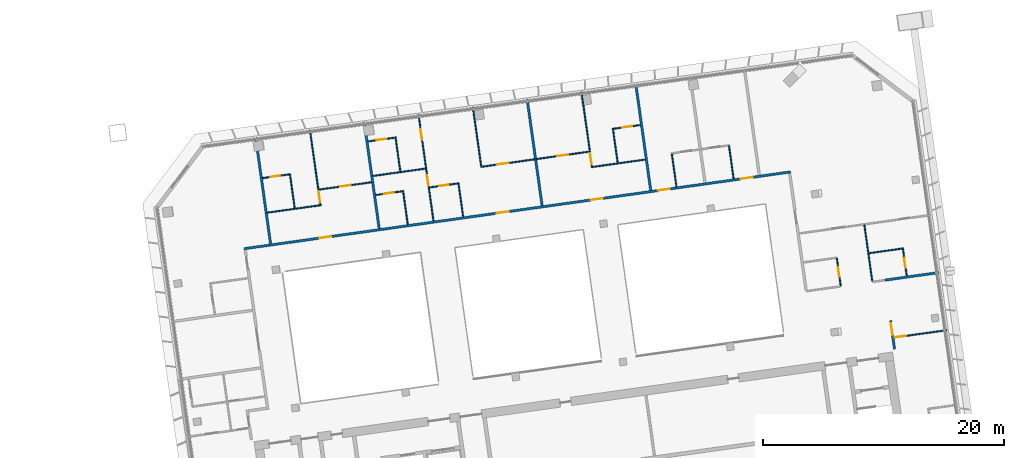
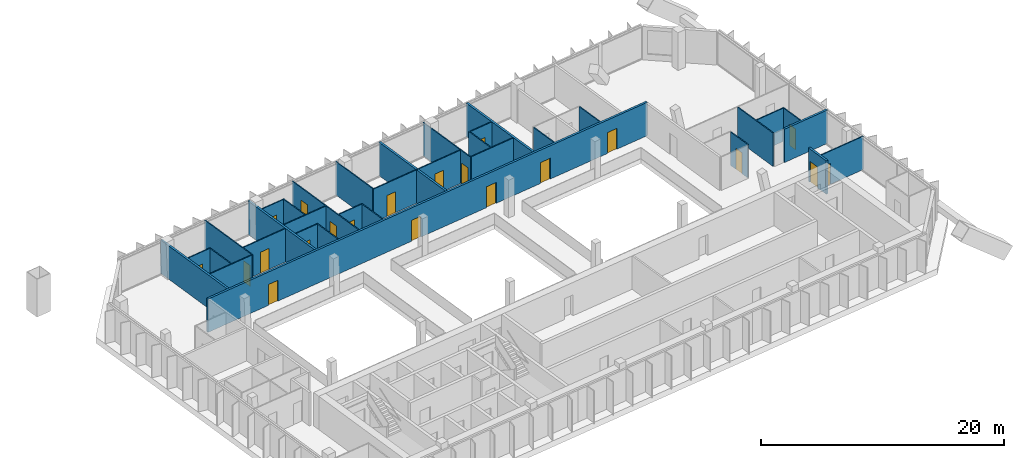
# One storey, part 24 of 32: 33 walls, 21 doors, 21 openings.
"""IFC4 building model written with IfcOpenShell, lengths in metres."""

from ifc_helpers import new_model, si_unit, direction, frame, frame_2d, origin, place, context, subcontext, project, spatial, rectangle, extrude, material, layer, layer_set, type_object, element, fill, save


model = new_model("IFC4")

# Units and contexts
model_context = context("Model", 3, precision=1e-05, world=origin(), true_north=direction((0.0, 1.0)))
body_context = subcontext(model_context, "Body", "Model", "MODEL_VIEW")
ifc_project = project(units=[si_unit("LENGTHUNIT", "METRE"), si_unit("AREAUNIT", "SQUARE_METRE"), si_unit("VOLUMEUNIT", "CUBIC_METRE"), si_unit("PLANEANGLEUNIT", "RADIAN"), si_unit("MASSUNIT", "GRAM", prefix="KILO")], contexts=[model_context])

# Site, building, storey
site_placement = place(None, origin())
site = spatial("IfcSite", under=ifc_project, at=site_placement, CompositionType="ELEMENT")
building_placement = place(site_placement, origin())
building = spatial("IfcBuilding", under=site, at=building_placement, Name="Mirante Cascada Hotel Towers", CompositionType="ELEMENT")
storey_placement = place(building_placement, frame((0.0, 0.0, 176.4)))
storey = spatial("IfcBuildingStorey", under=building, at=storey_placement, Name="L41", CompositionType="ELEMENT", Elevation=176.4)

# Wall
ifc_material_1 = material(Name="Fire-rated plasterboard on metal studs")
ifc_layer_1 = layer(ifc_material_1, 0.2)
ifc_layer_set_1 = layer_set([ifc_layer_1], Name="Compartment wall 200 EI 120")
wall_type_1 = type_object("IfcWallType", Name="Compartment wall 200 EI 120", PredefinedType="PARTITIONING", material=ifc_layer_set_1)
wall_1_placement = place(storey_placement, frame((92.3869, 6.7679, 0.0), z_axis=(0.0, 0.0, 1.0), x_axis=(-0.9902674, -0.1391779, 0.0)))
element("IfcWall", 1, at=wall_1_placement, inside=storey, type_object=wall_type_1, Name="Wall 2-L41-11", PredefinedType="PARTITIONING", context=body_context, shape_type="SweptSolid", body=[
    extrude(rectangle(XDim=4.5, YDim=0.2, at=frame_2d((2.25, 0.0))), origin(), (0.0, 0.0, 1.0), 3.35),
])

# Wall, openings, doors
wall_2_placement = place(storey_placement, frame((80.1022, 15.1397, 0.0), z_axis=(0.0, 0.0, 1.0), x_axis=(-0.9902679, -0.1391743, 0.0)))
wall_2 = element("IfcWall", 2, at=wall_2_placement, inside=storey, type_object=wall_type_1, Name="Wall 2-L41-17", PredefinedType="PARTITIONING", context=body_context, shape_type="SweptSolid", body=[
    extrude(rectangle(XDim=45.9, YDim=0.2, at=frame_2d((22.95, 0.0))), origin(), (0.0, 0.0, 1.0), 3.35),
])
opening_1_placement = place(wall_2_placement, frame((38.5918, 0.0, 0.0)))
opening_1 = element("IfcOpeningElement", 3, at=opening_1_placement, cuts=wall_2, Name="Opening D2-L41-08", PredefinedType="OPENING", context=body_context, shape_type="SweptSolid", body=[
    extrude(rectangle(XDim=1.0, YDim=2.1, at=frame_2d((0.5, 1.05))), frame((0.0, 0.1, 0.0), z_axis=(0.0, -1.0, 0.0), x_axis=(1.0, 0.0, 0.0)), (0.0, 0.0, 1.0), 0.2),
])
opening_2_placement = place(wall_2_placement, frame((23.6687, 0.0, 0.0)))
opening_2 = element("IfcOpeningElement", 4, at=opening_2_placement, cuts=wall_2, Name="Opening D2-L41-09", PredefinedType="OPENING", context=body_context, shape_type="SweptSolid", body=[
    extrude(rectangle(XDim=1.0, YDim=2.1, at=frame_2d((0.5, 1.05))), frame((0.0, 0.1, 0.0), z_axis=(0.0, -1.0, 0.0), x_axis=(1.0, 0.0, 0.0)), (0.0, 0.0, 1.0), 0.2),
])
opening_3_placement = place(wall_2_placement, frame((15.7959, 0.0, 0.0)))
opening_3 = element("IfcOpeningElement", 5, at=opening_3_placement, cuts=wall_2, Name="Opening D2-L41-10", PredefinedType="OPENING", context=body_context, shape_type="SweptSolid", body=[
    extrude(rectangle(XDim=1.0, YDim=2.1, at=frame_2d((0.5, 1.05))), frame((0.0, 0.1, 0.0), z_axis=(0.0, -1.0, 0.0), x_axis=(1.0, 0.0, 0.0)), (0.0, 0.0, 1.0), 0.2),
])
opening_4_placement = place(wall_2_placement, frame((10.1571, 0.0, 0.0)))
opening_4 = element("IfcOpeningElement", 6, at=opening_4_placement, cuts=wall_2, Name="Opening D2-L41-11", PredefinedType="OPENING", context=body_context, shape_type="SweptSolid", body=[
    extrude(rectangle(XDim=1.0, YDim=2.1, at=frame_2d((0.5, 1.05))), frame((0.0, 0.1, 0.0), z_axis=(0.0, -1.0, 0.0), x_axis=(1.0, 0.0, 0.0)), (0.0, 0.0, 1.0), 0.2),
])
opening_5_placement = place(wall_2_placement, frame((3.198, 0.0, 0.0)))
opening_5 = element("IfcOpeningElement", 7, at=opening_5_placement, cuts=wall_2, Name="Opening D2-L41-12", PredefinedType="OPENING", context=body_context, shape_type="SweptSolid", body=[
    extrude(rectangle(XDim=1.0, YDim=2.1, at=frame_2d((0.5, 1.05))), frame((0.0, 0.1, 0.0), z_axis=(0.0, -1.0, 0.0), x_axis=(1.0, 0.0, 0.0)), (0.0, 0.0, 1.0), 0.2),
])
ifc_material_2 = material(Name="Fire-rated timber door leaf", Category="wood")
door_type_1 = type_object("IfcDoorType", Name="Entrance door DG1 1000x2100 EI 60", OperationType="SINGLE_SWING_LEFT", PredefinedType="DOOR", material=ifc_material_2)
door_1_placement = place(opening_1_placement, frame((1.0, 0.0, 0.0), z_axis=(0.0, 0.0, 1.0), x_axis=(-1.0, 0.0, 0.0)))
door_1 = element("IfcDoor", 8, at=door_1_placement, inside=storey, type_object=door_type_1, Name="Door D2-L41-08", OperationType="SINGLE_SWING_RIGHT", OverallHeight=2.1, OverallWidth=1.0, PredefinedType="DOOR", context=body_context, shape_type="SweptSolid", body=[
    extrude(rectangle(XDim=1.0, YDim=2.1, at=frame_2d((0.5, 1.05))), frame((0.0, 0.025, 0.0), z_axis=(0.0, -1.0, 0.0), x_axis=(1.0, 0.0, 0.0)), (0.0, 0.0, 1.0), 0.05),
])
fill(opening_1, door_1)
door_2_placement = place(opening_2_placement, frame((1.0, 0.0, 0.0), z_axis=(0.0, 0.0, 1.0), x_axis=(-1.0, 0.0, 0.0)))
door_2 = element("IfcDoor", 9, at=door_2_placement, inside=storey, type_object=door_type_1, Name="Door D2-L41-09", OperationType="SINGLE_SWING_RIGHT", OverallHeight=2.1, OverallWidth=1.0, PredefinedType="DOOR", context=body_context, shape_type="SweptSolid", body=[
    extrude(rectangle(XDim=1.0, YDim=2.1, at=frame_2d((0.5, 1.05))), frame((0.0, 0.025, 0.0), z_axis=(0.0, -1.0, 0.0), x_axis=(1.0, 0.0, 0.0)), (0.0, 0.0, 1.0), 0.05),
])
fill(opening_2, door_2)
door_3_placement = place(opening_3_placement, frame((1.0, 0.0, 0.0), z_axis=(0.0, 0.0, 1.0), x_axis=(-1.0, 0.0, 0.0)))
door_3 = element("IfcDoor", 10, at=door_3_placement, inside=storey, type_object=door_type_1, Name="Door D2-L41-10", OperationType="SINGLE_SWING_RIGHT", OverallHeight=2.1, OverallWidth=1.0, PredefinedType="DOOR", context=body_context, shape_type="SweptSolid", body=[
    extrude(rectangle(XDim=1.0, YDim=2.1, at=frame_2d((0.5, 1.05))), frame((0.0, 0.025, 0.0), z_axis=(0.0, -1.0, 0.0), x_axis=(1.0, 0.0, 0.0)), (0.0, 0.0, 1.0), 0.05),
])
fill(opening_3, door_3)
door_4_placement = place(opening_4_placement, frame((1.0, 0.0, 0.0), z_axis=(0.0, 0.0, 1.0), x_axis=(-1.0, 0.0, 0.0)))
door_4 = element("IfcDoor", 11, at=door_4_placement, inside=storey, type_object=door_type_1, Name="Door D2-L41-11", OperationType="SINGLE_SWING_RIGHT", OverallHeight=2.1, OverallWidth=1.0, PredefinedType="DOOR", context=body_context, shape_type="SweptSolid", body=[
    extrude(rectangle(XDim=1.0, YDim=2.1, at=frame_2d((0.5, 1.05))), frame((0.0, 0.025, 0.0), z_axis=(0.0, -1.0, 0.0), x_axis=(1.0, 0.0, 0.0)), (0.0, 0.0, 1.0), 0.05),
])
fill(opening_4, door_4)
door_5_placement = place(opening_5_placement, frame((1.0, 0.0, 0.0), z_axis=(0.0, 0.0, 1.0), x_axis=(-1.0, 0.0, 0.0)))
door_5 = element("IfcDoor", 12, at=door_5_placement, inside=storey, type_object=door_type_1, Name="Door D2-L41-12", OperationType="SINGLE_SWING_RIGHT", OverallHeight=2.1, OverallWidth=1.0, PredefinedType="DOOR", context=body_context, shape_type="SweptSolid", body=[
    extrude(rectangle(XDim=1.0, YDim=2.1, at=frame_2d((0.5, 1.05))), frame((0.0, 0.025, 0.0), z_axis=(0.0, -1.0, 0.0), x_axis=(1.0, 0.0, 0.0)), (0.0, 0.0, 1.0), 0.05),
])
fill(opening_5, door_5)

# Walls
wall_3_placement = place(storey_placement, frame((35.6235, 17.977, 0.0), z_axis=(0.0, 0.0, 1.0), x_axis=(0.13917, -0.9902685, 0.0)))
element("IfcWall", 13, at=wall_3_placement, inside=storey, type_object=wall_type_1, Name="Wall 2-L41-35", PredefinedType="PARTITIONING", context=body_context, shape_type="SweptSolid", body=[
    extrude(rectangle(XDim=8.8999, YDim=0.2, at=frame_2d((4.45, 0.0))), origin(), (0.0, 0.0, 1.0), 3.35),
])
for number, where, z_axis, x_axis, name in (
    (14, (45.8918, 10.4327, 0.0), (0.0, 0.0, 1.0), (-0.1391794, 0.9902672, 0.0), "Wall 2-L41-38"),
    (15, (59.4362, 12.3362, 0.0), (0.0, 0.0, 1.0), (-0.1391794, 0.9902672, 0.0), "Wall 2-L41-44"),
    (16, (67.2272, 22.4187, 0.0), (0.0, 0.0, 1.0), (0.1391684, -0.9902687, 0.0), "Wall 2-L41-47"),
):
    element("IfcWall", number, at=place(storey_placement, frame(where, z_axis=z_axis, x_axis=x_axis)), inside=storey, type_object=wall_type_1, Name=name, PredefinedType="PARTITIONING", context=body_context, shape_type="SweptSolid", body=[
        extrude(rectangle(XDim=8.9, YDim=0.2, at=frame_2d((4.45, 0.0))), origin(), (0.0, 0.0, 1.0), 3.35),
    ])

# Wall, opening, door
wall_4_placement = place(storey_placement, frame((88.4039, 2.7747, 0.0), z_axis=(0.0, 0.0, 1.0), x_axis=(0.1391693, -0.9902686, 0.0)))
wall_4 = element("IfcWall", 17, at=wall_4_placement, inside=storey, type_object=wall_type_1, Name="Wall 2-L41-55", PredefinedType="PARTITIONING", context=body_context, shape_type="SweptSolid", body=[
    extrude(rectangle(XDim=2.4, YDim=0.2, at=frame_2d((1.2, 0.0))), origin(), (0.0, 0.0, 1.0), 3.35),
])
opening_6_placement = place(wall_4_placement, frame((0.2167, 0.0, 0.0)))
opening_6 = element("IfcOpeningElement", 18, at=opening_6_placement, cuts=wall_4, Name="Opening D2-L41-34", PredefinedType="OPENING", context=body_context, shape_type="SweptSolid", body=[
    extrude(rectangle(XDim=1.0, YDim=2.1, at=frame_2d((0.5, 1.05))), frame((0.0, 0.1, 0.0), z_axis=(0.0, -1.0, 0.0), x_axis=(1.0, 0.0, 0.0)), (0.0, 0.0, 1.0), 0.2),
])
door_6_placement = place(opening_6_placement, origin())
door_6 = element("IfcDoor", 19, at=door_6_placement, inside=storey, type_object=door_type_1, Name="Door D2-L41-34", OperationType="SINGLE_SWING_LEFT", OverallHeight=2.1, OverallWidth=1.0, PredefinedType="DOOR", context=body_context, shape_type="SweptSolid", body=[
    extrude(rectangle(XDim=1.0, YDim=2.1, at=frame_2d((0.5, 1.05))), frame((0.0, 0.025, 0.0), z_axis=(0.0, -1.0, 0.0), x_axis=(1.0, 0.0, 0.0)), (0.0, 0.0, 1.0), 0.05),
])
fill(opening_6, door_6)

ifc_material_3 = material(Name="Plasterboard on metal studs")
ifc_layer_2 = layer(ifc_material_3, 0.1)
ifc_layer_set_2 = layer_set([ifc_layer_2], Name="Partition 100")
wall_type_2 = type_object("IfcWallType", Name="Partition 100", PredefinedType="PARTITIONING", material=ifc_layer_set_2)
wall_5_placement = place(storey_placement, frame((93.0596, 1.9816, 0.0), z_axis=(0.0, 0.0, 1.0), x_axis=(-0.9902701, -0.1391587, 0.0)))
wall_5 = element("IfcWall", 20, at=wall_5_placement, inside=storey, type_object=wall_type_2, Name="Wall 2-L41-05", PredefinedType="PARTITIONING", context=body_context, shape_type="SweptSolid", body=[
    extrude(rectangle(XDim=4.4, YDim=0.1, at=frame_2d((2.2, 0.0))), origin(), (0.0, 0.0, 1.0), 3.35),
])
opening_7_placement = place(wall_5_placement, frame((3.45, 0.0, 0.0)))
opening_7 = element("IfcOpeningElement", 21, at=opening_7_placement, cuts=wall_5, Name="Opening D2-L41-04", PredefinedType="OPENING", context=body_context, shape_type="SweptSolid", body=[
    extrude(rectangle(XDim=0.9, YDim=2.1, at=frame_2d((0.45, 1.05))), frame((0.0, 0.05, 0.0), z_axis=(0.0, -1.0, 0.0), x_axis=(1.0, 0.0, 0.0)), (0.0, 0.0, 1.0), 0.1),
])
ifc_material_4 = material(Name="Timber door leaf", Category="wood")
door_type_2 = type_object("IfcDoorType", Name="Room door DG3 900x2100", OperationType="SINGLE_SWING_LEFT", PredefinedType="DOOR", material=ifc_material_4)
door_7_placement = place(opening_7_placement, origin())
door_7 = element("IfcDoor", 22, at=door_7_placement, inside=storey, type_object=door_type_2, Name="Door D2-L41-04", OperationType="SINGLE_SWING_LEFT", OverallHeight=2.1, OverallWidth=0.9, PredefinedType="DOOR", context=body_context, shape_type="SweptSolid", body=[
    extrude(rectangle(XDim=0.9, YDim=2.1, at=frame_2d((0.45, 1.05))), frame((0.0, 0.025, 0.0), z_axis=(0.0, -1.0, 0.0), x_axis=(1.0, 0.0, 0.0)), (0.0, 0.0, 1.0), 0.05),
])
fill(opening_7, door_7)

# Walls
wall_6_placement = place(storey_placement, frame((89.4782, 8.7827, 0.0), z_axis=(0.0, 0.0, 1.0), x_axis=(-0.9902683, -0.1391714, 0.0)))
element("IfcWall", 23, at=wall_6_placement, inside=storey, type_object=wall_type_2, Name="Wall 2-L41-13", PredefinedType="PARTITIONING", context=body_context, shape_type="SweptSolid", body=[
    extrude(rectangle(XDim=2.9, YDim=0.1, at=frame_2d((1.45, 0.0))), origin(), (0.0, 0.0, 1.0), 3.35),
])
for number, where, z_axis, x_axis, name in (
    (24, (36.5993, 11.7523, 0.0), (0.0, 0.0, 1.0), (0.9902694, 0.1391634, 0.0), "Wall 2-L41-18"),
    (25, (68.0049, 16.1661, 0.0), (0.0, 0.0, 1.0), (-0.9902663, -0.1391857, 0.0), "Wall 2-L41-19"),
):
    element("IfcWall", number, at=place(storey_placement, frame(where, z_axis=z_axis, x_axis=x_axis)), inside=storey, type_object=wall_type_2, Name=name, PredefinedType="PARTITIONING", context=body_context, shape_type="SweptSolid", body=[
        extrude(rectangle(XDim=4.4092, YDim=0.1, at=frame_2d((2.2046, 0.0))), origin(), (0.0, 0.0, 1.0), 3.35),
    ])

# Wall, opening, door
wall_7_placement = place(storey_placement, frame((45.6011, 13.2194, 0.0), z_axis=(0.0, 0.0, 1.0), x_axis=(0.9902705, 0.1391561, 0.0)))
wall_7 = element("IfcWall", 26, at=wall_7_placement, inside=storey, type_object=wall_type_2, Name="Wall 2-L41-20", PredefinedType="PARTITIONING", context=body_context, shape_type="SweptSolid", body=[
    extrude(rectangle(XDim=2.25, YDim=0.1, at=frame_2d((1.125, 0.0))), origin(), (0.0, 0.0, 1.0), 3.35),
])
opening_8_placement = place(wall_7_placement, frame((0.7, 0.0, 0.0)))
opening_8 = element("IfcOpeningElement", 27, at=opening_8_placement, cuts=wall_7, Name="Opening D2-L41-13", PredefinedType="OPENING", context=body_context, shape_type="SweptSolid", body=[
    extrude(rectangle(XDim=0.8, YDim=2.1, at=frame_2d((0.4, 1.05))), frame((0.0, 0.05, 0.0), z_axis=(0.0, -1.0, 0.0), x_axis=(1.0, 0.0, 0.0)), (0.0, 0.0, 1.0), 0.1),
])
ifc_material_5 = material(Name="Timber door leaf", Category="wood")
door_type_3 = type_object("IfcDoorType", Name="Bathroom door DG4 800x2100", OperationType="SINGLE_SWING_LEFT", PredefinedType="DOOR", material=ifc_material_5)
door_8_placement = place(opening_8_placement, frame((0.8, 0.0, 0.0), z_axis=(0.0, 0.0, 1.0), x_axis=(-1.0, 0.0, 0.0)))
door_8 = element("IfcDoor", 28, at=door_8_placement, inside=storey, type_object=door_type_3, Name="Door D2-L41-13", OperationType="SINGLE_SWING_RIGHT", OverallHeight=2.1, OverallWidth=0.8, PredefinedType="DOOR", context=body_context, shape_type="SweptSolid", body=[
    extrude(rectangle(XDim=0.8, YDim=2.1, at=frame_2d((0.4, 1.05))), frame((0.0, 0.025, 0.0), z_axis=(0.0, -1.0, 0.0), x_axis=(1.0, 0.0, 0.0)), (0.0, 0.0, 1.0), 0.05),
])
fill(opening_8, door_8)

wall_8_placement = place(storey_placement, frame((52.4342, 14.1797, 0.0), z_axis=(0.0, 0.0, 1.0), x_axis=(-0.9902673, -0.1391786, 0.0)))
wall_8 = element("IfcWall", 29, at=wall_8_placement, inside=storey, type_object=wall_type_2, Name="Wall 2-L41-21", PredefinedType="PARTITIONING", context=body_context, shape_type="SweptSolid", body=[
    extrude(rectangle(XDim=2.3912, YDim=0.1, at=frame_2d((1.1956, 0.0))), origin(), (0.0, 0.0, 1.0), 3.35),
])
opening_9_placement = place(wall_8_placement, frame((0.75, 0.0, 0.0)))
opening_9 = element("IfcOpeningElement", 30, at=opening_9_placement, cuts=wall_8, Name="Opening D2-L41-14", PredefinedType="OPENING", context=body_context, shape_type="SweptSolid", body=[
    extrude(rectangle(XDim=0.8, YDim=2.1, at=frame_2d((0.4, 1.05))), frame((0.0, 0.05, 0.0), z_axis=(0.0, -1.0, 0.0), x_axis=(1.0, 0.0, 0.0)), (0.0, 0.0, 1.0), 0.1),
])
door_9_placement = place(opening_9_placement, frame((0.8, 0.0, 0.0), z_axis=(0.0, 0.0, 1.0), x_axis=(-1.0, 0.0, 0.0)))
door_9 = element("IfcDoor", 31, at=door_9_placement, inside=storey, type_object=door_type_3, Name="Door D2-L41-14", OperationType="SINGLE_SWING_RIGHT", OverallHeight=2.1, OverallWidth=0.8, PredefinedType="DOOR", context=body_context, shape_type="SweptSolid", body=[
    extrude(rectangle(XDim=0.8, YDim=2.1, at=frame_2d((0.4, 1.05))), frame((0.0, 0.025, 0.0), z_axis=(0.0, -1.0, 0.0), x_axis=(1.0, 0.0, 0.0)), (0.0, 0.0, 1.0), 0.05),
])
fill(opening_9, door_9)

wall_9_placement = place(storey_placement, frame((45.25, 14.2808, 0.0), z_axis=(0.0, 0.0, 1.0), x_axis=(-0.9902694, -0.1391634, 0.0)))
wall_9 = element("IfcWall", 32, at=wall_9_placement, inside=storey, type_object=wall_type_2, Name="Wall 2-L41-23", PredefinedType="PARTITIONING", context=body_context, shape_type="SweptSolid", body=[
    extrude(rectangle(XDim=4.4092, YDim=0.1, at=frame_2d((2.2046, 0.0))), origin(), (0.0, 0.0, 1.0), 3.35),
])
opening_10_placement = place(wall_9_placement, frame((1.7296, 0.0, 0.0)))
opening_10 = element("IfcOpeningElement", 33, at=opening_10_placement, cuts=wall_9, Name="Opening D2-L41-17", PredefinedType="OPENING", context=body_context, shape_type="SweptSolid", body=[
    extrude(rectangle(XDim=0.9, YDim=2.1, at=frame_2d((0.45, 1.05))), frame((0.0, 0.05, 0.0), z_axis=(0.0, -1.0, 0.0), x_axis=(1.0, 0.0, 0.0)), (0.0, 0.0, 1.0), 0.1),
])
door_10_placement = place(opening_10_placement, origin())
door_10 = element("IfcDoor", 34, at=door_10_placement, inside=storey, type_object=door_type_2, Name="Door D2-L41-17", OperationType="SINGLE_SWING_LEFT", OverallHeight=2.1, OverallWidth=0.9, PredefinedType="DOOR", context=body_context, shape_type="SweptSolid", body=[
    extrude(rectangle(XDim=0.9, YDim=2.1, at=frame_2d((0.45, 1.05))), frame((0.0, 0.025, 0.0), z_axis=(0.0, -1.0, 0.0), x_axis=(1.0, 0.0, 0.0)), (0.0, 0.0, 1.0), 0.05),
])
fill(opening_10, door_10)

# Wall, openings, doors
wall_10_placement = place(storey_placement, frame((54.329, 15.5568, 0.0), z_axis=(0.0, 0.0, 1.0), x_axis=(0.9902687, 0.1391686, 0.0)))
wall_10 = element("IfcWall", 35, at=wall_10_placement, inside=storey, type_object=wall_type_2, Name="Wall 2-L41-24", PredefinedType="PARTITIONING", context=body_context, shape_type="SweptSolid", body=[
    extrude(rectangle(XDim=9.1184, YDim=0.1, at=frame_2d((4.5592, 0.0))), origin(), (0.0, 0.0, 1.0), 3.35),
])
opening_11_placement = place(wall_10_placement, frame((1.4092, 0.0, 0.0)))
opening_11 = element("IfcOpeningElement", 36, at=opening_11_placement, cuts=wall_10, Name="Opening D2-L41-18", PredefinedType="OPENING", context=body_context, shape_type="SweptSolid", body=[
    extrude(rectangle(XDim=0.9, YDim=2.1, at=frame_2d((0.45, 1.05))), frame((0.0, 0.05, 0.0), z_axis=(0.0, -1.0, 0.0), x_axis=(1.0, 0.0, 0.0)), (0.0, 0.0, 1.0), 0.1),
])
opening_12_placement = place(wall_10_placement, frame((6.4388, 0.0, 0.0)))
opening_12 = element("IfcOpeningElement", 37, at=opening_12_placement, cuts=wall_10, Name="Opening D2-L41-19", PredefinedType="OPENING", context=body_context, shape_type="SweptSolid", body=[
    extrude(rectangle(XDim=0.9, YDim=2.1, at=frame_2d((0.45, 1.05))), frame((0.0, 0.05, 0.0), z_axis=(0.0, -1.0, 0.0), x_axis=(1.0, 0.0, 0.0)), (0.0, 0.0, 1.0), 0.1),
])
door_11_placement = place(opening_11_placement, origin())
door_11 = element("IfcDoor", 38, at=door_11_placement, inside=storey, type_object=door_type_2, Name="Door D2-L41-18", OperationType="SINGLE_SWING_LEFT", OverallHeight=2.1, OverallWidth=0.9, PredefinedType="DOOR", context=body_context, shape_type="SweptSolid", body=[
    extrude(rectangle(XDim=0.9, YDim=2.1, at=frame_2d((0.45, 1.05))), frame((0.0, 0.025, 0.0), z_axis=(0.0, -1.0, 0.0), x_axis=(1.0, 0.0, 0.0)), (0.0, 0.0, 1.0), 0.05),
])
fill(opening_11, door_11)
door_12_placement = place(opening_12_placement, frame((0.9, 0.0, 0.0), z_axis=(0.0, 0.0, 1.0), x_axis=(-1.0, 0.0, 0.0)))
door_12 = element("IfcDoor", 39, at=door_12_placement, inside=storey, type_object=door_type_2, Name="Door D2-L41-19", OperationType="SINGLE_SWING_RIGHT", OverallHeight=2.1, OverallWidth=0.9, PredefinedType="DOOR", context=body_context, shape_type="SweptSolid", body=[
    extrude(rectangle(XDim=0.9, YDim=2.1, at=frame_2d((0.45, 1.05))), frame((0.0, 0.025, 0.0), z_axis=(0.0, -1.0, 0.0), x_axis=(1.0, 0.0, 0.0)), (0.0, 0.0, 1.0), 0.05),
])
fill(opening_12, door_12)

# Wall
wall_11_placement = place(storey_placement, frame((49.7446, 15.4174, 0.0), z_axis=(0.0, 0.0, 1.0), x_axis=(-0.990269, -0.1391666, 0.0)))
element("IfcWall", 40, at=wall_11_placement, inside=storey, type_object=wall_type_2, Name="Wall 2-L41-25", PredefinedType="PARTITIONING", context=body_context, shape_type="SweptSolid", body=[
    extrude(rectangle(XDim=4.4091, YDim=0.1, at=frame_2d((2.2045, 0.0))), origin(), (0.0, 0.0, 1.0), 3.35),
])

# Wall, opening, door
wall_12_placement = place(storey_placement, frame((36.1957, 14.6241, 0.0), z_axis=(0.0, 0.0, 1.0), x_axis=(0.9902705, 0.1391561, 0.0)))
wall_12 = element("IfcWall", 41, at=wall_12_placement, inside=storey, type_object=wall_type_2, Name="Wall 2-L41-26", PredefinedType="PARTITIONING", context=body_context, shape_type="SweptSolid", body=[
    extrude(rectangle(XDim=2.25, YDim=0.1, at=frame_2d((1.125, 0.0))), origin(), (0.0, 0.0, 1.0), 3.35),
])
opening_13_placement = place(wall_12_placement, frame((0.7, 0.0, 0.0)))
opening_13 = element("IfcOpeningElement", 42, at=opening_13_placement, cuts=wall_12, Name="Opening D2-L41-20", PredefinedType="OPENING", context=body_context, shape_type="SweptSolid", body=[
    extrude(rectangle(XDim=0.8, YDim=2.1, at=frame_2d((0.4, 1.05))), frame((0.0, 0.05, 0.0), z_axis=(0.0, -1.0, 0.0), x_axis=(1.0, 0.0, 0.0)), (0.0, 0.0, 1.0), 0.1),
])
door_13_placement = place(opening_13_placement, origin())
door_13 = element("IfcDoor", 43, at=door_13_placement, inside=storey, type_object=door_type_3, Name="Door D2-L41-20", OperationType="SINGLE_SWING_LEFT", OverallHeight=2.1, OverallWidth=0.8, PredefinedType="DOOR", context=body_context, shape_type="SweptSolid", body=[
    extrude(rectangle(XDim=0.8, YDim=2.1, at=frame_2d((0.4, 1.05))), frame((0.0, 0.025, 0.0), z_axis=(0.0, -1.0, 0.0), x_axis=(1.0, 0.0, 0.0)), (0.0, 0.0, 1.0), 0.05),
])
fill(opening_13, door_13)

wall_13_placement = place(storey_placement, frame((67.6013, 19.0378, 0.0), z_axis=(0.0, 0.0, 1.0), x_axis=(-0.9902705, -0.1391561, 0.0)))
wall_13 = element("IfcWall", 44, at=wall_13_placement, inside=storey, type_object=wall_type_2, Name="Wall 2-L41-27", PredefinedType="PARTITIONING", context=body_context, shape_type="SweptSolid", body=[
    extrude(rectangle(XDim=2.25, YDim=0.1, at=frame_2d((1.125, 0.0))), origin(), (0.0, 0.0, 1.0), 3.35),
])
opening_14_placement = place(wall_13_placement, frame((0.7, 0.0, 0.0)))
opening_14 = element("IfcOpeningElement", 45, at=opening_14_placement, cuts=wall_13, Name="Opening D2-L41-21", PredefinedType="OPENING", context=body_context, shape_type="SweptSolid", body=[
    extrude(rectangle(XDim=0.8, YDim=2.1, at=frame_2d((0.4, 1.05))), frame((0.0, 0.05, 0.0), z_axis=(0.0, -1.0, 0.0), x_axis=(1.0, 0.0, 0.0)), (0.0, 0.0, 1.0), 0.1),
])
door_14_placement = place(opening_14_placement, frame((0.8, 0.0, 0.0), z_axis=(0.0, 0.0, 1.0), x_axis=(-1.0, 0.0, 0.0)))
door_14 = element("IfcDoor", 46, at=door_14_placement, inside=storey, type_object=door_type_3, Name="Door D2-L41-21", OperationType="SINGLE_SWING_RIGHT", OverallHeight=2.1, OverallWidth=0.8, PredefinedType="DOOR", context=body_context, shape_type="SweptSolid", body=[
    extrude(rectangle(XDim=0.8, YDim=2.1, at=frame_2d((0.4, 1.05))), frame((0.0, 0.025, 0.0), z_axis=(0.0, -1.0, 0.0), x_axis=(1.0, 0.0, 0.0)), (0.0, 0.0, 1.0), 0.05),
])
fill(opening_14, door_14)

wall_14_placement = place(storey_placement, frame((44.9748, 17.6756, 0.0), z_axis=(0.0, 0.0, 1.0), x_axis=(0.9902705, 0.1391561, 0.0)))
wall_14 = element("IfcWall", 47, at=wall_14_placement, inside=storey, type_object=wall_type_2, Name="Wall 2-L41-28", PredefinedType="PARTITIONING", context=body_context, shape_type="SweptSolid", body=[
    extrude(rectangle(XDim=2.25, YDim=0.1, at=frame_2d((1.125, 0.0))), origin(), (0.0, 0.0, 1.0), 3.35),
])
opening_15_placement = place(wall_14_placement, frame((0.7, 0.0, 0.0)))
opening_15 = element("IfcOpeningElement", 48, at=opening_15_placement, cuts=wall_14, Name="Opening D2-L41-22", PredefinedType="OPENING", context=body_context, shape_type="SweptSolid", body=[
    extrude(rectangle(XDim=0.8, YDim=2.1, at=frame_2d((0.4, 1.05))), frame((0.0, 0.05, 0.0), z_axis=(0.0, -1.0, 0.0), x_axis=(1.0, 0.0, 0.0)), (0.0, 0.0, 1.0), 0.1),
])
door_15_placement = place(opening_15_placement, frame((0.8, 0.0, 0.0), z_axis=(0.0, 0.0, 1.0), x_axis=(-1.0, 0.0, 0.0)))
door_15 = element("IfcDoor", 49, at=door_15_placement, inside=storey, type_object=door_type_3, Name="Door D2-L41-22", OperationType="SINGLE_SWING_RIGHT", OverallHeight=2.1, OverallWidth=0.8, PredefinedType="DOOR", context=body_context, shape_type="SweptSolid", body=[
    extrude(rectangle(XDim=0.8, YDim=2.1, at=frame_2d((0.4, 1.05))), frame((0.0, 0.025, 0.0), z_axis=(0.0, -1.0, 0.0), x_axis=(1.0, 0.0, 0.0)), (0.0, 0.0, 1.0), 0.05),
])
fill(opening_15, door_15)

# Wall
wall_15_placement = place(storey_placement, frame((38.8699, 12.1219, 0.0), z_axis=(0.0, 0.0, 1.0), x_axis=(-0.1391714, 0.9902683, 0.0)))
element("IfcWall", 50, at=wall_15_placement, inside=storey, type_object=wall_type_2, Name="Wall 2-L41-36", PredefinedType="PARTITIONING", context=body_context, shape_type="SweptSolid", body=[
    extrude(rectangle(XDim=2.9, YDim=0.1, at=frame_2d((1.45, 0.0))), origin(), (0.0, 0.0, 1.0), 3.35),
])

# Wall, opening, door
wall_16_placement = place(storey_placement, frame((40.1383, 18.6116, 0.0), z_axis=(0.0, 0.0, 1.0), x_axis=(0.1391656, -0.9902691, 0.0)))
wall_16 = element("IfcWall", 51, at=wall_16_placement, inside=storey, type_object=wall_type_2, Name="Wall 2-L41-37", PredefinedType="PARTITIONING", context=body_context, shape_type="SweptSolid", body=[
    extrude(rectangle(XDim=6.35, YDim=0.1, at=frame_2d((3.175, 0.0))), origin(), (0.0, 0.0, 1.0), 3.35),
])
opening_16_placement = place(wall_16_placement, frame((5.15, 0.0, 0.0)))
opening_16 = element("IfcOpeningElement", 52, at=opening_16_placement, cuts=wall_16, Name="Opening D2-L41-28", PredefinedType="OPENING", context=body_context, shape_type="SweptSolid", body=[
    extrude(rectangle(XDim=0.9, YDim=2.1, at=frame_2d((0.45, 1.05))), frame((0.0, 0.05, 0.0), z_axis=(0.0, -1.0, 0.0), x_axis=(1.0, 0.0, 0.0)), (0.0, 0.0, 1.0), 0.1),
])
door_16_placement = place(opening_16_placement, frame((0.9, 0.0, 0.0), z_axis=(0.0, 0.0, 1.0), x_axis=(-1.0, 0.0, 0.0)))
door_16 = element("IfcDoor", 53, at=door_16_placement, inside=storey, type_object=door_type_2, Name="Door D2-L41-28", OperationType="SINGLE_SWING_RIGHT", OverallHeight=2.1, OverallWidth=0.9, PredefinedType="DOOR", context=body_context, shape_type="SweptSolid", body=[
    extrude(rectangle(XDim=0.9, YDim=2.1, at=frame_2d((0.45, 1.05))), frame((0.0, 0.025, 0.0), z_axis=(0.0, -1.0, 0.0), x_axis=(1.0, 0.0, 0.0)), (0.0, 0.0, 1.0), 0.05),
])
fill(opening_16, door_16)

# Walls
wall_17_placement = place(storey_placement, frame((47.8718, 13.589, 0.0), z_axis=(0.0, 0.0, 1.0), x_axis=(0.1391564, -0.9902704, 0.0)))
element("IfcWall", 54, at=wall_17_placement, inside=storey, type_object=wall_type_2, Name="Wall 2-L41-39", PredefinedType="PARTITIONING", context=body_context, shape_type="SweptSolid", body=[
    extrude(rectangle(XDim=2.85, YDim=0.1, at=frame_2d((1.425, 0.0))), origin(), (0.0, 0.0, 1.0), 3.35),
])
wall_18_placement = place(storey_placement, frame((47.6491, 15.1734, 0.0), z_axis=(0.0, 0.0, 1.0), x_axis=(-0.1391714, 0.9902683, 0.0)))
element("IfcWall", 55, at=wall_18_placement, inside=storey, type_object=wall_type_2, Name="Wall 2-L41-40", PredefinedType="PARTITIONING", context=body_context, shape_type="SweptSolid", body=[
    extrude(rectangle(XDim=2.9, YDim=0.1, at=frame_2d((1.45, 0.0))), origin(), (0.0, 0.0, 1.0), 3.35),
])

# Wall, openings, doors
wall_19_placement = place(storey_placement, frame((49.1679, 19.8806, 0.0), z_axis=(0.0, 0.0, 1.0), x_axis=(0.1391684, -0.9902687, 0.0)))
wall_19 = element("IfcWall", 56, at=wall_19_placement, inside=storey, type_object=wall_type_2, Name="Wall 2-L41-41", PredefinedType="PARTITIONING", context=body_context, shape_type="SweptSolid", body=[
    extrude(rectangle(XDim=8.9, YDim=0.1, at=frame_2d((4.45, 0.0))), origin(), (0.0, 0.0, 1.0), 3.35),
])
opening_17_placement = place(wall_19_placement, frame((5.05, 0.0, 0.0)))
opening_17 = element("IfcOpeningElement", 57, at=opening_17_placement, cuts=wall_19, Name="Opening D2-L41-29", PredefinedType="OPENING", context=body_context, shape_type="SweptSolid", body=[
    extrude(rectangle(XDim=0.9, YDim=2.1, at=frame_2d((0.45, 1.05))), frame((0.0, 0.05, 0.0), z_axis=(0.0, -1.0, 0.0), x_axis=(1.0, 0.0, 0.0)), (0.0, 0.0, 1.0), 0.1),
])
opening_18_placement = place(wall_19_placement, frame((1.2, 0.0, 0.0)))
opening_18 = element("IfcOpeningElement", 58, at=opening_18_placement, cuts=wall_19, Name="Opening D2-L41-30", PredefinedType="OPENING", context=body_context, shape_type="SweptSolid", body=[
    extrude(rectangle(XDim=0.9, YDim=2.1, at=frame_2d((0.45, 1.05))), frame((0.0, 0.05, 0.0), z_axis=(0.0, -1.0, 0.0), x_axis=(1.0, 0.0, 0.0)), (0.0, 0.0, 1.0), 0.1),
])
door_17_placement = place(opening_17_placement, origin())
door_17 = element("IfcDoor", 59, at=door_17_placement, inside=storey, type_object=door_type_2, Name="Door D2-L41-29", OperationType="SINGLE_SWING_LEFT", OverallHeight=2.1, OverallWidth=0.9, PredefinedType="DOOR", context=body_context, shape_type="SweptSolid", body=[
    extrude(rectangle(XDim=0.9, YDim=2.1, at=frame_2d((0.45, 1.05))), frame((0.0, 0.025, 0.0), z_axis=(0.0, -1.0, 0.0), x_axis=(1.0, 0.0, 0.0)), (0.0, 0.0, 1.0), 0.05),
])
fill(opening_17, door_17)
door_18_placement = place(opening_18_placement, origin())
door_18 = element("IfcDoor", 60, at=door_18_placement, inside=storey, type_object=door_type_2, Name="Door D2-L41-30", OperationType="SINGLE_SWING_LEFT", OverallHeight=2.1, OverallWidth=0.9, PredefinedType="DOOR", context=body_context, shape_type="SweptSolid", body=[
    extrude(rectangle(XDim=0.9, YDim=2.1, at=frame_2d((0.45, 1.05))), frame((0.0, 0.025, 0.0), z_axis=(0.0, -1.0, 0.0), x_axis=(1.0, 0.0, 0.0)), (0.0, 0.0, 1.0), 0.05),
])
fill(opening_18, door_18)

# Walls
wall_20_placement = place(storey_placement, frame((52.8734, 11.4139, 0.0), z_axis=(0.0, 0.0, 1.0), x_axis=(-0.1391564, 0.9902704, 0.0)))
element("IfcWall", 61, at=wall_20_placement, inside=storey, type_object=wall_type_2, Name="Wall 2-L41-42", PredefinedType="PARTITIONING", context=body_context, shape_type="SweptSolid", body=[
    extrude(rectangle(XDim=2.85, YDim=0.1, at=frame_2d((1.425, 0.0))), origin(), (0.0, 0.0, 1.0), 3.35),
])
wall_21_placement = place(storey_placement, frame((53.6827, 20.5151, 0.0), z_axis=(0.0, 0.0, 1.0), x_axis=(0.1391725, -0.9902682, 0.0)))
element("IfcWall", 62, at=wall_21_placement, inside=storey, type_object=wall_type_2, Name="Wall 2-L41-43", PredefinedType="PARTITIONING", context=body_context, shape_type="SweptSolid", body=[
    extrude(rectangle(XDim=4.95, YDim=0.1, at=frame_2d((2.475, 0.0))), origin(), (0.0, 0.0, 1.0), 3.35),
])

# Wall, opening, door
wall_22_placement = place(storey_placement, frame((62.7123, 21.7841, 0.0), z_axis=(0.0, 0.0, 1.0), x_axis=(0.139181, -0.990267, 0.0)))
wall_22 = element("IfcWall", 63, at=wall_22_placement, inside=storey, type_object=wall_type_2, Name="Wall 2-L41-45", PredefinedType="PARTITIONING", context=body_context, shape_type="SweptSolid", body=[
    extrude(rectangle(XDim=6.35, YDim=0.1, at=frame_2d((3.175, 0.0))), origin(), (0.0, 0.0, 1.0), 3.35),
])
opening_19_placement = place(wall_22_placement, frame((5.15, 0.0, 0.0)))
opening_19 = element("IfcOpeningElement", 64, at=opening_19_placement, cuts=wall_22, Name="Opening D2-L41-31", PredefinedType="OPENING", context=body_context, shape_type="SweptSolid", body=[
    extrude(rectangle(XDim=0.9, YDim=2.1, at=frame_2d((0.45, 1.05))), frame((0.0, 0.05, 0.0), z_axis=(0.0, -1.0, 0.0), x_axis=(1.0, 0.0, 0.0)), (0.0, 0.0, 1.0), 0.1),
])
door_19_placement = place(opening_19_placement, frame((0.9, 0.0, 0.0), z_axis=(0.0, 0.0, 1.0), x_axis=(-1.0, 0.0, 0.0)))
door_19 = element("IfcDoor", 65, at=door_19_placement, inside=storey, type_object=door_type_2, Name="Door D2-L41-31", OperationType="SINGLE_SWING_RIGHT", OverallHeight=2.1, OverallWidth=0.9, PredefinedType="DOOR", context=body_context, shape_type="SweptSolid", body=[
    extrude(rectangle(XDim=0.9, YDim=2.1, at=frame_2d((0.45, 1.05))), frame((0.0, 0.025, 0.0), z_axis=(0.0, -1.0, 0.0), x_axis=(1.0, 0.0, 0.0)), (0.0, 0.0, 1.0), 0.05),
])
fill(opening_19, door_19)

# Walls
wall_23_placement = place(storey_placement, frame((65.7204, 15.8955, 0.0), z_axis=(0.0, 0.0, 1.0), x_axis=(-0.1391761, 0.9902676, 0.0)))
element("IfcWall", 66, at=wall_23_placement, inside=storey, type_object=wall_type_2, Name="Wall 2-L41-46", PredefinedType="PARTITIONING", context=body_context, shape_type="SweptSolid", body=[
    extrude(rectangle(XDim=2.8999, YDim=0.1, at=frame_2d((1.45, 0.0))), origin(), (0.0, 0.0, 1.0), 3.35),
])
for number, where, z_axis, x_axis, name in (
    (67, (70.604, 13.9058, 0.0), (0.0, 0.0, 1.0), (-0.1391657, 0.9902691, 0.0), "Wall 2-L41-48"),
    (68, (75.3573, 14.5738, 0.0), (0.0, 0.0, 1.0), (-0.1391657, 0.9902691, 0.0), "Wall 2-L41-50"),
):
    element("IfcWall", number, at=place(storey_placement, frame(where, z_axis=z_axis, x_axis=x_axis)), inside=storey, type_object=wall_type_2, Name=name, PredefinedType="PARTITIONING", context=body_context, shape_type="SweptSolid", body=[
        extrude(rectangle(XDim=2.75, YDim=0.1, at=frame_2d((1.375, 0.0))), origin(), (0.0, 0.0, 1.0), 3.35),
    ])

# Wall, opening, door
wall_24_placement = place(storey_placement, frame((83.9396, 7.9538, 0.0), z_axis=(0.0, 0.0, 1.0), x_axis=(0.1391749, -0.9902678, 0.0)))
wall_24 = element("IfcWall", 69, at=wall_24_placement, inside=storey, type_object=wall_type_2, Name="Wall 2-L41-53", PredefinedType="PARTITIONING", context=body_context, shape_type="SweptSolid", body=[
    extrude(rectangle(XDim=2.3, YDim=0.1, at=frame_2d((1.15, 0.0))), origin(), (0.0, 0.0, 1.0), 3.35),
])
opening_20_placement = place(wall_24_placement, frame((0.75, 0.0, 0.0)))
opening_20 = element("IfcOpeningElement", 70, at=opening_20_placement, cuts=wall_24, Name="Opening D2-L41-33", PredefinedType="OPENING", context=body_context, shape_type="SweptSolid", body=[
    extrude(rectangle(XDim=0.8, YDim=2.1, at=frame_2d((0.4, 1.05))), frame((0.0, 0.05, 0.0), z_axis=(0.0, -1.0, 0.0), x_axis=(1.0, 0.0, 0.0)), (0.0, 0.0, 1.0), 0.1),
])
door_20_placement = place(opening_20_placement, frame((0.8, 0.0, 0.0), z_axis=(0.0, 0.0, 1.0), x_axis=(-1.0, 0.0, 0.0)))
door_20 = element("IfcDoor", 71, at=door_20_placement, inside=storey, type_object=door_type_3, Name="Door D2-L41-33", OperationType="SINGLE_SWING_RIGHT", OverallHeight=2.1, OverallWidth=0.8, PredefinedType="DOOR", context=body_context, shape_type="SweptSolid", body=[
    extrude(rectangle(XDim=0.8, YDim=2.1, at=frame_2d((0.4, 1.05))), frame((0.0, 0.025, 0.0), z_axis=(0.0, -1.0, 0.0), x_axis=(1.0, 0.0, 0.0)), (0.0, 0.0, 1.0), 0.05),
])
fill(opening_20, door_20)

# Wall
wall_25_placement = place(storey_placement, frame((86.8839, 6.045, 0.0), z_axis=(0.0, 0.0, 1.0), x_axis=(-0.1391642, 0.9902693, 0.0)))
element("IfcWall", 72, at=wall_25_placement, inside=storey, type_object=wall_type_2, Name="Wall 2-L41-54", PredefinedType="PARTITIONING", context=body_context, shape_type="SweptSolid", body=[
    extrude(rectangle(XDim=4.7333, YDim=0.1, at=frame_2d((2.3666, 0.0))), origin(), (0.0, 0.0, 1.0), 3.35),
])

# Wall, opening, door
wall_26_placement = place(storey_placement, frame((89.7488, 6.4981, 0.0), z_axis=(0.0, 0.0, 1.0), x_axis=(-0.1391997, 0.9902643, 0.0)))
wall_26 = element("IfcWall", 73, at=wall_26_placement, inside=storey, type_object=wall_type_2, Name="Wall 2-L41-56", PredefinedType="PARTITIONING", context=body_context, shape_type="SweptSolid", body=[
    extrude(rectangle(XDim=2.25, YDim=0.1, at=frame_2d((1.125, 0.0))), origin(), (0.0, 0.0, 1.0), 3.35),
])
opening_21_placement = place(wall_26_placement, frame((0.7, 0.0, 0.0)))
opening_21 = element("IfcOpeningElement", 74, at=opening_21_placement, cuts=wall_26, Name="Opening D2-L41-35", PredefinedType="OPENING", context=body_context, shape_type="SweptSolid", body=[
    extrude(rectangle(XDim=0.8, YDim=2.1, at=frame_2d((0.4, 1.05))), frame((0.0, 0.05, 0.0), z_axis=(0.0, -1.0, 0.0), x_axis=(1.0, 0.0, 0.0)), (0.0, 0.0, 1.0), 0.1),
])
door_21_placement = place(opening_21_placement, origin())
door_21 = element("IfcDoor", 75, at=door_21_placement, inside=storey, type_object=door_type_3, Name="Door D2-L41-35", OperationType="SINGLE_SWING_LEFT", OverallHeight=2.1, OverallWidth=0.8, PredefinedType="DOOR", context=body_context, shape_type="SweptSolid", body=[
    extrude(rectangle(XDim=0.8, YDim=2.1, at=frame_2d((0.4, 1.05))), frame((0.0, 0.025, 0.0), z_axis=(0.0, -1.0, 0.0), x_axis=(1.0, 0.0, 0.0)), (0.0, 0.0, 1.0), 0.05),
])
fill(opening_21, door_21)

save(model, "model.ifc")
